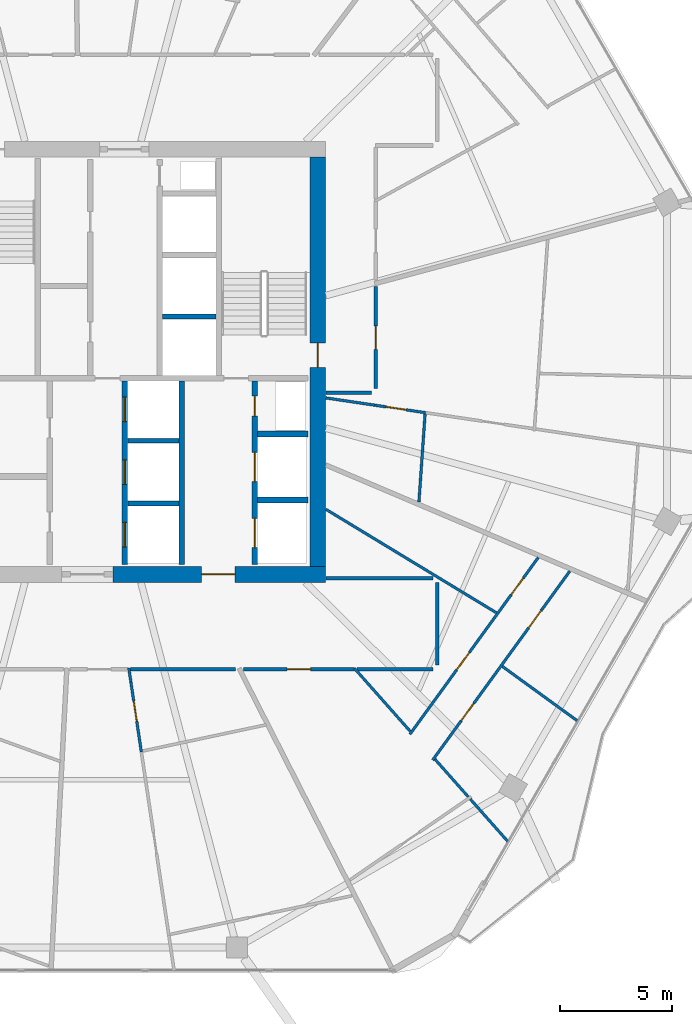
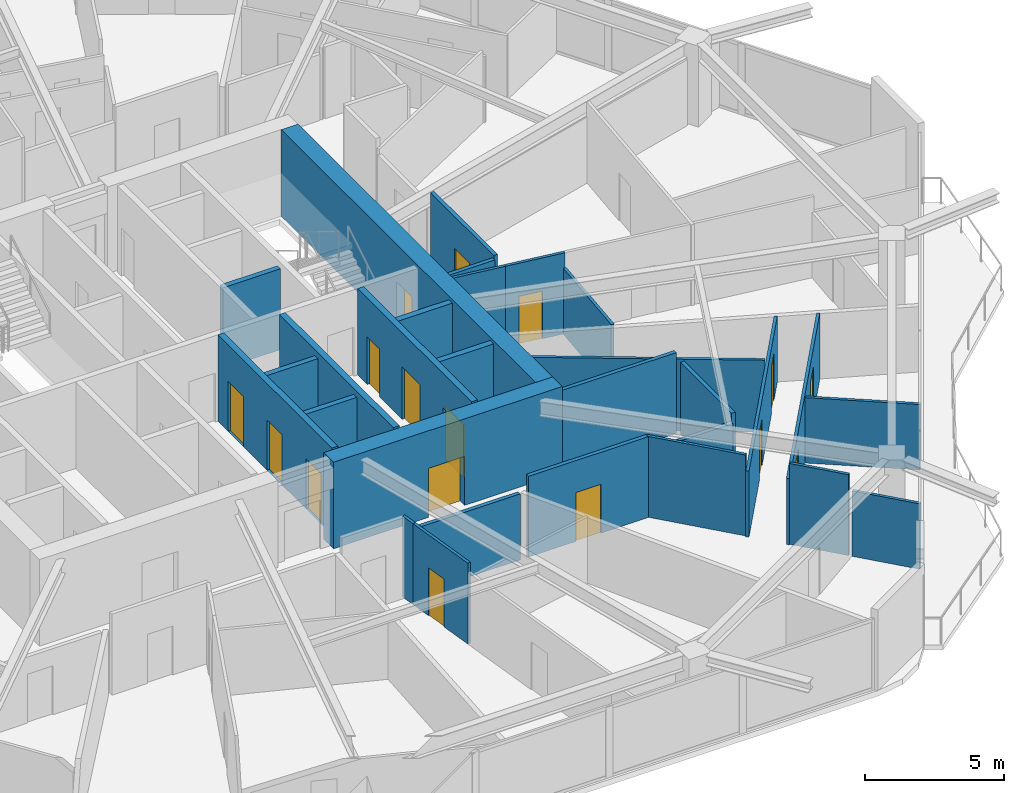
# One storey, part 20 of 27: 29 walls, 16 doors, 16 openings.
"""IFC4 building model written with IfcOpenShell, lengths in metres."""

from ifc_helpers import new_model, si_unit, direction, frame, frame_2d, origin, place, context, subcontext, project, spatial, rectangle, extrude, material, layer, layer_set, type_object, element, fill, save


model = new_model("IFC4")

# Units and contexts
model_context = context("Model", 3, precision=1e-05, world=origin(), true_north=direction((0.0, 1.0)))
body_context = subcontext(model_context, "Body", "Model", "MODEL_VIEW")
ifc_project = project(units=[si_unit("LENGTHUNIT", "METRE"), si_unit("AREAUNIT", "SQUARE_METRE"), si_unit("VOLUMEUNIT", "CUBIC_METRE"), si_unit("PLANEANGLEUNIT", "RADIAN"), si_unit("MASSUNIT", "GRAM", prefix="KILO")], contexts=[model_context])

# Site, building, storey
site_placement = place(None, origin())
site = spatial("IfcSite", under=ifc_project, at=site_placement, CompositionType="ELEMENT")
building_placement = place(site_placement, origin())
building = spatial("IfcBuilding", under=site, at=building_placement, Name="Zuhravey Tower", CompositionType="ELEMENT")
storey_placement = place(building_placement, frame((0.0, 0.0, 188.39990234375)))
storey = spatial("IfcBuildingStorey", under=building, at=storey_placement, Name="L47", CompositionType="ELEMENT", Elevation=188.39990234375)

# Wall, opening, door
ifc_material_1 = material(Name="Concrete C60/75", Category="concrete")
ifc_layer_1 = layer(ifc_material_1, 0.699951171875)
ifc_layer_set_1 = layer_set([ifc_layer_1], Name="Concrete C60/75")
wall_type_1 = type_object("IfcWallType", Name="Core Shear Wall 700", PredefinedType="SHEAR", material=ifc_layer_set_1)
wall_1_placement = place(storey_placement, frame((37.35009765625, 22.5, 0.0), z_axis=(0.0, 0.0, 1.0), x_axis=(1.0, 0.0, 0.0)))
wall_1 = element("IfcWall", 1, at=wall_1_placement, inside=storey, type_object=wall_type_1, Name="L47 South-East Core Shear Wall CW70", PredefinedType="SHEAR", context=body_context, shape_type="SweptSolid", body=[
    extrude(rectangle(XDim=9.5, YDim=0.699951171875, at=frame_2d((4.75, 0.0))), origin(), (0.0, 0.0, 1.0), 3.800048828125),
])
opening_1_placement = place(wall_1_placement, frame((3.949951171875, 0.0, 0.0)))
opening_1 = element("IfcOpeningElement", 2, at=opening_1_placement, cuts=wall_1, Name="Opening FFD1", PredefinedType="OPENING", context=body_context, shape_type="SweptSolid", body=[
    extrude(rectangle(XDim=1.5, YDim=2.14990234375, at=frame_2d((0.75, 1.074951171875))), frame((0.0, 0.362060546875, 0.0), z_axis=(0.0, -1.0, 0.0), x_axis=(1.0, 0.0, 0.0)), (0.0, 0.0, 1.0), 0.723876953125),
])
ifc_material_2 = material(Name="Galvanised fire-rated steel leaf", Category="steel")
door_type_1 = type_object("IfcDoorType", Name="Firefighting Lobby Double Door 1500x2150", OperationType="DOUBLE_DOOR_SINGLE_SWING", PredefinedType="DOOR", material=ifc_material_2)
door_1_placement = place(opening_1_placement, origin())
door_1 = element("IfcDoor", 3, at=door_1_placement, inside=storey, type_object=door_type_1, Name="L47 Firefighting Lobby East Door", OperationType="DOUBLE_DOOR_SINGLE_SWING", OverallHeight=2.14990234375, OverallWidth=1.5, PredefinedType="DOOR", context=body_context, shape_type="SweptSolid", body=[
    extrude(rectangle(XDim=1.5, YDim=2.14990234375, at=frame_2d((0.75, 1.074951171875))), frame((0.0, 0.02490234375, 0.0), z_axis=(0.0, -1.0, 0.0), x_axis=(1.0, 0.0, 0.0)), (0.0, 0.0, 1.0), 0.050048828125),
])
fill(opening_1, door_1)

wall_2_placement = place(storey_placement, frame((46.5, 22.85009765625, 0.0), z_axis=(0.0, 0.0, 1.0), x_axis=(0.0, 1.0, 0.0)))
wall_2 = element("IfcWall", 4, at=wall_2_placement, inside=storey, type_object=wall_type_1, Name="L47 East Core Shear Wall CW70", PredefinedType="SHEAR", context=body_context, shape_type="SweptSolid", body=[
    extrude(rectangle(XDim=18.2998046875, YDim=0.699951171875, at=frame_2d((9.14990234375, 0.0))), origin(), (0.0, 0.0, 1.0), 3.800048828125),
])
opening_2_placement = place(wall_2_placement, frame((8.89990234375, 0.0, 0.0)))
opening_2 = element("IfcOpeningElement", 5, at=opening_2_placement, cuts=wall_2, Name="Opening STD1", PredefinedType="OPENING", context=body_context, shape_type="SweptSolid", body=[
    extrude(rectangle(XDim=1.10009765625, YDim=2.14990234375, at=frame_2d((0.550048828125, 1.074951171875))), frame((0.0, 0.362060546875, 0.0), z_axis=(0.0, -1.0, 0.0), x_axis=(1.0, 0.0, 0.0)), (0.0, 0.0, 1.0), 0.723876953125),
])
door_type_2 = type_object("IfcDoorType", Name="Protected Stair Fire Door 1100x2150", OperationType="NOTDEFINED", PredefinedType="USERDEFINED", material=ifc_material_2)
door_2_placement = place(opening_2_placement, origin())
door_2 = element("IfcDoor", 6, at=door_2_placement, inside=storey, type_object=door_type_2, Name="L47 Stair ST2 Door", ObjectType="EXITDOOR", OperationType="SINGLE_SWING_LEFT", OverallHeight=2.14990234375, OverallWidth=1.10009765625, PredefinedType="USERDEFINED", context=body_context, shape_type="SweptSolid", body=[
    extrude(rectangle(XDim=1.10009765625, YDim=2.14990234375, at=frame_2d((0.550048828125, 1.074951171875))), frame((0.0, 0.02490234375, 0.0), z_axis=(0.0, -1.0, 0.0), x_axis=(1.0, 0.0, 0.0)), (0.0, 0.0, 1.0), 0.050048828125),
])
fill(opening_2, door_2)

ifc_material_3 = material(Name="Gypsum fire-rated stud partition")
ifc_layer_2 = layer(ifc_material_3, 0.159912109375)
ifc_layer_set_2 = layer_set([ifc_layer_2], Name="Gypsum fire-rated stud partition")
wall_type_2 = type_object("IfcWallType", Name="Corridor Fire Partition 160", PredefinedType="PARTITIONING", material=ifc_layer_set_2)
wall_3_placement = place(storey_placement, frame((43.169921875, 18.27001953125, 0.0), z_axis=(0.0, 0.0, 1.0), x_axis=(1.0, 0.0, 0.0)))
wall_3 = element("IfcWall", 7, at=wall_3_placement, inside=storey, type_object=wall_type_2, Name="L47 IW16 Partition 054", PredefinedType="PARTITIONING", context=body_context, shape_type="SweptSolid", body=[
    extrude(rectangle(XDim=4.9677734375, YDim=0.159912109375, at=frame_2d((2.48388671875, 0.0))), origin(), (0.0, 0.0, 1.0), 3.550048828125),
])
opening_3_placement = place(wall_3_placement, frame((1.958984375, 0.0, 0.0)))
opening_3 = element("IfcOpeningElement", 8, at=opening_3_placement, cuts=wall_3, Name="Opening APD1", PredefinedType="OPENING", context=body_context, shape_type="SweptSolid", body=[
    extrude(rectangle(XDim=1.050048828125, YDim=2.14990234375, at=frame_2d((0.52490234375, 1.074951171875))), frame((0.0, 0.092041015625, 0.0), z_axis=(0.0, -1.0, 0.0), x_axis=(1.0, 0.0, 0.0)), (0.0, 0.0, 1.0), 0.183837890625),
])
ifc_material_4 = material(Name="Solid-core oak fire-rated leaf")
door_type_3 = type_object("IfcDoorType", Name="Apartment Entrance Fire Door 1050x2150", OperationType="NOTDEFINED", PredefinedType="DOOR", material=ifc_material_4)
door_3_placement = place(opening_3_placement, frame((1.050048828125, 0.0, 0.0), z_axis=(0.0, 0.0, 1.0), x_axis=(-1.0, 0.0, 0.0)))
door_3 = element("IfcDoor", 9, at=door_3_placement, inside=storey, type_object=door_type_3, Name="L47 Door 054.1", OperationType="SINGLE_SWING_RIGHT", OverallHeight=2.14990234375, OverallWidth=1.050048828125, PredefinedType="DOOR", context=body_context, shape_type="SweptSolid", body=[
    extrude(rectangle(XDim=1.050048828125, YDim=2.14990234375, at=frame_2d((0.52490234375, 1.074951171875))), frame((0.0, 0.02490234375, 0.0), z_axis=(0.0, -1.0, 0.0), x_axis=(1.0, 0.0, 0.0)), (0.0, 0.0, 1.0), 0.050048828125),
])
fill(opening_3, door_3)

wall_4_placement = place(storey_placement, frame((49.080078125, 30.800048828125, 0.0), z_axis=(0.0, 0.0, 1.0), x_axis=(0.0, 1.0, 0.0)))
wall_4 = element("IfcWall", 10, at=wall_4_placement, inside=storey, type_object=wall_type_2, Name="L47 IW16 Partition 060", PredefinedType="PARTITIONING", context=body_context, shape_type="SweptSolid", body=[
    extrude(rectangle(XDim=4.56201171875, YDim=0.159912109375, at=frame_2d((2.281005859375, 0.0))), origin(), (0.0, 0.0, 1.0), 3.550048828125),
])
opening_4_placement = place(wall_4_placement, frame((1.756103515625, 0.0, 0.0)))
opening_4 = element("IfcOpeningElement", 11, at=opening_4_placement, cuts=wall_4, Name="Opening APD1", PredefinedType="OPENING", context=body_context, shape_type="SweptSolid", body=[
    extrude(rectangle(XDim=1.050048828125, YDim=2.14990234375, at=frame_2d((0.52490234375, 1.074951171875))), frame((0.0, 0.092041015625, 0.0), z_axis=(0.0, -1.0, 0.0), x_axis=(1.0, 0.0, 0.0)), (0.0, 0.0, 1.0), 0.183837890625),
])
door_4_placement = place(opening_4_placement, frame((1.050048828125, 0.0, 0.0), z_axis=(0.0, 0.0, 1.0), x_axis=(-1.0, 0.0, 0.0)))
door_4 = element("IfcDoor", 12, at=door_4_placement, inside=storey, type_object=door_type_3, Name="L47 Door 060.1", OperationType="SINGLE_SWING_RIGHT", OverallHeight=2.14990234375, OverallWidth=1.050048828125, PredefinedType="DOOR", context=body_context, shape_type="SweptSolid", body=[
    extrude(rectangle(XDim=1.050048828125, YDim=2.14990234375, at=frame_2d((0.52490234375, 1.074951171875))), frame((0.0, 0.02490234375, 0.0), z_axis=(0.0, -1.0, 0.0), x_axis=(1.0, 0.0, 0.0)), (0.0, 0.0, 1.0), 0.050048828125),
])
fill(opening_4, door_4)

# Walls
wall_5_placement = place(storey_placement, frame((38.125732421875, 18.27001953125, 0.0), z_axis=(0.0, 0.0, 1.0), x_axis=(1.0, 0.0, 0.0)))
element("IfcWall", 13, at=wall_5_placement, inside=storey, type_object=wall_type_2, Name="L47 IW16 Partition 143", PredefinedType="PARTITIONING", context=body_context, shape_type="SweptSolid", body=[
    extrude(rectangle(XDim=4.697509765625, YDim=0.159912109375, at=frame_2d((2.3486328125, 0.0))), origin(), (0.0, 0.0, 1.0), 2.900146484375),
])
wall_6_placement = place(storey_placement, frame((51.64990234375, 22.330078125, 0.0), z_axis=(0.0, 0.0, 1.0), x_axis=(-1.0, 0.0, 0.0)))
element("IfcWall", 14, at=wall_6_placement, inside=storey, type_object=wall_type_2, Name="L47 IW16 Partition 144", PredefinedType="PARTITIONING", context=body_context, shape_type="SweptSolid", body=[
    extrude(rectangle(XDim=4.77978515625, YDim=0.159912109375, at=frame_2d((2.389892578125, 0.0))), origin(), (0.0, 0.0, 1.0), 3.550048828125),
])
wall_7_placement = place(storey_placement, frame((51.830078125, 18.449951171875, 0.0), z_axis=(0.0, 0.0, 1.0), x_axis=(0.0, 1.0, 0.0)))
element("IfcWall", 15, at=wall_7_placement, inside=storey, type_object=wall_type_2, Name="L47 IW16 Partition 145", PredefinedType="PARTITIONING", context=body_context, shape_type="SweptSolid", body=[
    extrude(rectangle(XDim=3.699951171875, YDim=0.159912109375, at=frame_2d((1.85009765625, 0.0))), origin(), (0.0, 0.0, 1.0), 3.150146484375),
])
wall_8_placement = place(storey_placement, frame((48.255126953125, 18.27001953125, 0.0), z_axis=(0.0, 0.0, 1.0), x_axis=(1.0, 0.0, 0.0)))
element("IfcWall", 16, at=wall_8_placement, inside=storey, type_object=wall_type_2, Name="L47 IW16 Partition 146", PredefinedType="PARTITIONING", context=body_context, shape_type="SweptSolid", body=[
    extrude(rectangle(XDim=3.394775390625, YDim=0.159912109375, at=frame_2d((1.697265625, 0.0))), origin(), (0.0, 0.0, 1.0), 2.900146484375),
])
wall_9_placement = place(storey_placement, frame((46.8701171875, 30.6201171875, 0.0), z_axis=(0.0, 0.0, 1.0), x_axis=(1.0, 0.0, 0.0)))
element("IfcWall", 17, at=wall_9_placement, inside=storey, type_object=wall_type_2, Name="L47 IW16 Partition 147", PredefinedType="PARTITIONING", context=body_context, shape_type="SweptSolid", body=[
    extrude(rectangle(XDim=2.02978515625, YDim=0.159912109375, at=frame_2d((1.014892578125, 0.0))), origin(), (0.0, 0.0, 1.0), 3.550048828125),
])

# Wall, openings, doors
ifc_material_5 = material(Name="Concrete C50/60", Category="concrete")
ifc_layer_3 = layer(ifc_material_5, 0.25)
ifc_layer_set_3 = layer_set([ifc_layer_3], Name="Concrete C50/60")
wall_type_3 = type_object("IfcWallType", Name="Firefighting Shaft & Stair Wall 250", PredefinedType="SOLIDWALL", material=ifc_layer_set_3)
wall_10_placement = place(storey_placement, frame((37.875, 22.949951171875, 0.0), z_axis=(0.0, 0.0, 1.0), x_axis=(0.0, 1.0, 0.0)))
wall_10 = element("IfcWall", 18, at=wall_10_placement, inside=storey, type_object=wall_type_3, Name="L47 FW25 Shaft Wall 015", PredefinedType="SOLIDWALL", context=body_context, shape_type="SweptSolid", body=[
    extrude(rectangle(XDim=8.199951171875, YDim=0.25, at=frame_2d((4.10009765625, 0.0))), origin(), (0.0, 0.0, 1.0), 3.800048828125),
])
opening_5_placement = place(wall_10_placement, frame((0.77490234375, 0.0, 0.0)))
opening_5 = element("IfcOpeningElement", 19, at=opening_5_placement, cuts=wall_10, Name="Opening LD1", PredefinedType="OPENING", context=body_context, shape_type="SweptSolid", body=[
    extrude(rectangle(XDim=1.10009765625, YDim=2.199951171875, at=frame_2d((0.550048828125, 1.10009765625))), frame((0.0, 0.136962890625, 0.0), z_axis=(0.0, -1.0, 0.0), x_axis=(1.0, 0.0, 0.0)), (0.0, 0.0, 1.0), 0.27392578125),
])
opening_6_placement = place(wall_10_placement, frame((3.574951171875, 0.0, 0.0)))
opening_6 = element("IfcOpeningElement", 20, at=opening_6_placement, cuts=wall_10, Name="Opening LD1", PredefinedType="OPENING", context=body_context, shape_type="SweptSolid", body=[
    extrude(rectangle(XDim=1.10009765625, YDim=2.199951171875, at=frame_2d((0.550048828125, 1.10009765625))), frame((0.0, 0.136962890625, 0.0), z_axis=(0.0, -1.0, 0.0), x_axis=(1.0, 0.0, 0.0)), (0.0, 0.0, 1.0), 0.27392578125),
])
opening_7_placement = place(wall_10_placement, frame((6.375, 0.0, 0.0)))
opening_7 = element("IfcOpeningElement", 21, at=opening_7_placement, cuts=wall_10, Name="Opening LD1", PredefinedType="OPENING", context=body_context, shape_type="SweptSolid", body=[
    extrude(rectangle(XDim=1.10009765625, YDim=2.199951171875, at=frame_2d((0.550048828125, 1.10009765625))), frame((0.0, 0.136962890625, 0.0), z_axis=(0.0, -1.0, 0.0), x_axis=(1.0, 0.0, 0.0)), (0.0, 0.0, 1.0), 0.27392578125),
])
ifc_material_6 = material(Name="Brushed stainless steel", Category="steel")
door_type_4 = type_object("IfcDoorType", Name="Lift Landing Sliding Door 1100x2200", OperationType="DOUBLE_DOOR_SLIDING", PredefinedType="DOOR", material=ifc_material_6)
door_5_placement = place(opening_5_placement, origin())
door_5 = element("IfcDoor", 22, at=door_5_placement, inside=storey, type_object=door_type_4, Name="L47 Lift PL4 Landing Door", OperationType="DOUBLE_DOOR_SLIDING", OverallHeight=2.199951171875, OverallWidth=1.10009765625, PredefinedType="DOOR", context=body_context, shape_type="SweptSolid", body=[
    extrude(rectangle(XDim=1.10009765625, YDim=2.199951171875, at=frame_2d((0.550048828125, 1.10009765625))), frame((0.0, 0.02490234375, 0.0), z_axis=(0.0, -1.0, 0.0), x_axis=(1.0, 0.0, 0.0)), (0.0, 0.0, 1.0), 0.050048828125),
])
fill(opening_5, door_5)
door_6_placement = place(opening_6_placement, origin())
door_6 = element("IfcDoor", 23, at=door_6_placement, inside=storey, type_object=door_type_4, Name="L47 Lift PL5 Landing Door", OperationType="DOUBLE_DOOR_SLIDING", OverallHeight=2.199951171875, OverallWidth=1.10009765625, PredefinedType="DOOR", context=body_context, shape_type="SweptSolid", body=[
    extrude(rectangle(XDim=1.10009765625, YDim=2.199951171875, at=frame_2d((0.550048828125, 1.10009765625))), frame((0.0, 0.02490234375, 0.0), z_axis=(0.0, -1.0, 0.0), x_axis=(1.0, 0.0, 0.0)), (0.0, 0.0, 1.0), 0.050048828125),
])
fill(opening_6, door_6)
door_7_placement = place(opening_7_placement, origin())
door_7 = element("IfcDoor", 24, at=door_7_placement, inside=storey, type_object=door_type_4, Name="L47 Lift PL6 Landing Door", OperationType="DOUBLE_DOOR_SLIDING", OverallHeight=2.199951171875, OverallWidth=1.10009765625, PredefinedType="DOOR", context=body_context, shape_type="SweptSolid", body=[
    extrude(rectangle(XDim=1.10009765625, YDim=2.199951171875, at=frame_2d((0.550048828125, 1.10009765625))), frame((0.0, 0.02490234375, 0.0), z_axis=(0.0, -1.0, 0.0), x_axis=(1.0, 0.0, 0.0)), (0.0, 0.0, 1.0), 0.050048828125),
])
fill(opening_7, door_7)

# Walls
wall_11_placement = place(storey_placement, frame((40.425048828125, 22.949951171875, 0.0), z_axis=(0.0, 0.0, 1.0), x_axis=(0.0, 1.0, 0.0)))
element("IfcWall", 25, at=wall_11_placement, inside=storey, type_object=wall_type_3, Name="L47 FW25 Shaft Wall 016", PredefinedType="SOLIDWALL", context=body_context, shape_type="SweptSolid", body=[
    extrude(rectangle(XDim=8.199951171875, YDim=0.25, at=frame_2d((4.10009765625, 0.0))), origin(), (0.0, 0.0, 1.0), 3.800048828125),
])
for number, where, z_axis, x_axis, name in (
    (26, (43.800048828125, 25.824951171875, 0.0), (0.0, 0.0, 1.0), (1.0, 0.0, 0.0), "L47 FW25 Shaft Wall 017"),
    (27, (43.800048828125, 28.77490234375, 0.0), (0.0, 0.0, 1.0), (1.0, 0.0, 0.0), "L47 FW25 Shaft Wall 018"),
):
    element("IfcWall", number, at=place(storey_placement, frame(where, z_axis=z_axis, x_axis=x_axis)), inside=storey, type_object=wall_type_3, Name=name, PredefinedType="SOLIDWALL", context=body_context, shape_type="SweptSolid", body=[
        extrude(rectangle(XDim=2.25, YDim=0.25, at=frame_2d((1.125, 0.0))), origin(), (0.0, 0.0, 1.0), 3.800048828125),
    ])

# Wall, openings, doors
wall_12_placement = place(storey_placement, frame((43.675048828125, 22.949951171875, 0.0), z_axis=(0.0, 0.0, 1.0), x_axis=(0.0, 1.0, 0.0)))
wall_12 = element("IfcWall", 28, at=wall_12_placement, inside=storey, type_object=wall_type_3, Name="L47 FW25 Shaft Wall 019", PredefinedType="SOLIDWALL", context=body_context, shape_type="SweptSolid", body=[
    extrude(rectangle(XDim=8.199951171875, YDim=0.25, at=frame_2d((4.10009765625, 0.0))), origin(), (0.0, 0.0, 1.0), 3.800048828125),
])
opening_8_placement = place(wall_12_placement, frame((0.75, 0.0, 0.0)))
opening_8 = element("IfcOpeningElement", 29, at=opening_8_placement, cuts=wall_12, Name="Opening LD2", PredefinedType="OPENING", context=body_context, shape_type="SweptSolid", body=[
    extrude(rectangle(XDim=1.300048828125, YDim=2.300048828125, at=frame_2d((0.64990234375, 1.14990234375))), frame((0.0, 0.136962890625, 0.0), z_axis=(0.0, -1.0, 0.0), x_axis=(1.0, 0.0, 0.0)), (0.0, 0.0, 1.0), 0.27392578125),
])
opening_9_placement = place(wall_12_placement, frame((3.699951171875, 0.0, 0.0)))
opening_9 = element("IfcOpeningElement", 30, at=opening_9_placement, cuts=wall_12, Name="Opening LD2", PredefinedType="OPENING", context=body_context, shape_type="SweptSolid", body=[
    extrude(rectangle(XDim=1.300048828125, YDim=2.300048828125, at=frame_2d((0.64990234375, 1.14990234375))), frame((0.0, 0.136962890625, 0.0), z_axis=(0.0, -1.0, 0.0), x_axis=(1.0, 0.0, 0.0)), (0.0, 0.0, 1.0), 0.27392578125),
])
opening_10_placement = place(wall_12_placement, frame((6.6201171875, 0.0, 0.0)))
opening_10 = element("IfcOpeningElement", 31, at=opening_10_placement, cuts=wall_12, Name="Opening RSD1", PredefinedType="OPENING", context=body_context, shape_type="SweptSolid", body=[
    extrude(rectangle(XDim=0.89990234375, YDim=2.10009765625, at=frame_2d((0.449951171875, 1.050048828125))), frame((0.0, 0.136962890625, 0.0), z_axis=(0.0, -1.0, 0.0), x_axis=(1.0, 0.0, 0.0)), (0.0, 0.0, 1.0), 0.27392578125),
])
door_type_5 = type_object("IfcDoorType", Name="Freight & Stretcher Lift Sliding Door 1300x2300", OperationType="DOUBLE_DOOR_SLIDING", PredefinedType="DOOR", material=ifc_material_6)
door_8_placement = place(opening_8_placement, origin())
door_8 = element("IfcDoor", 32, at=door_8_placement, inside=storey, type_object=door_type_5, Name="L47 Lift FF2 Landing Door", OperationType="DOUBLE_DOOR_SLIDING", OverallHeight=2.300048828125, OverallWidth=1.300048828125, PredefinedType="DOOR", context=body_context, shape_type="SweptSolid", body=[
    extrude(rectangle(XDim=1.300048828125, YDim=2.300048828125, at=frame_2d((0.64990234375, 1.14990234375))), frame((0.0, 0.02490234375, 0.0), z_axis=(0.0, -1.0, 0.0), x_axis=(1.0, 0.0, 0.0)), (0.0, 0.0, 1.0), 0.050048828125),
])
fill(opening_8, door_8)
door_9_placement = place(opening_9_placement, origin())
door_9 = element("IfcDoor", 33, at=door_9_placement, inside=storey, type_object=door_type_5, Name="L47 Lift SV1 Landing Door", OperationType="DOUBLE_DOOR_SLIDING", OverallHeight=2.300048828125, OverallWidth=1.300048828125, PredefinedType="DOOR", context=body_context, shape_type="SweptSolid", body=[
    extrude(rectangle(XDim=1.300048828125, YDim=2.300048828125, at=frame_2d((0.64990234375, 1.14990234375))), frame((0.0, 0.02490234375, 0.0), z_axis=(0.0, -1.0, 0.0), x_axis=(1.0, 0.0, 0.0)), (0.0, 0.0, 1.0), 0.050048828125),
])
fill(opening_9, door_9)
ifc_material_7 = material(Name="Galvanised fire-rated steel access leaf", Category="steel")
door_type_6 = type_object("IfcDoorType", Name="Riser & Shaft Access Fire Door 900x2100", OperationType="NOTDEFINED", PredefinedType="DOOR", material=ifc_material_7)
door_10_placement = place(opening_10_placement, origin())
door_10 = element("IfcDoor", 34, at=door_10_placement, inside=storey, type_object=door_type_6, Name="L47 Plumbing Riser Door", OperationType="SINGLE_SWING_LEFT", OverallHeight=2.10009765625, OverallWidth=0.89990234375, PredefinedType="DOOR", context=body_context, shape_type="SweptSolid", body=[
    extrude(rectangle(XDim=0.89990234375, YDim=2.10009765625, at=frame_2d((0.449951171875, 1.050048828125))), frame((0.0, 0.02490234375, 0.0), z_axis=(0.0, -1.0, 0.0), x_axis=(1.0, 0.0, 0.0)), (0.0, 0.0, 1.0), 0.050048828125),
])
fill(opening_10, door_10)

# Walls
ifc_material_8 = material(Name="Gypsum acoustic stud assembly")
ifc_layer_4 = layer(ifc_material_8, 0.219970703125)
ifc_layer_set_4 = layer_set([ifc_layer_4], Name="Gypsum acoustic stud assembly")
wall_type_4 = type_object("IfcWallType", Name="School Acoustic Compartment Wall 220", PredefinedType="PARTITIONING", material=ifc_layer_set_4)
wall_13_placement = place(storey_placement, frame((39.55810546875, 34.02490234375, 0.0), z_axis=(0.0, 0.0, 1.0), x_axis=(1.0, 0.0, 0.0)))
element("IfcWall", 35, at=wall_13_placement, inside=storey, type_object=wall_type_4, Name="L47 IW22 Partition 062", PredefinedType="PARTITIONING", context=body_context, shape_type="SweptSolid", body=[
    extrude(rectangle(XDim=2.3837890625, YDim=0.219970703125, at=frame_2d((1.19189453125, 0.0))), origin(), (0.0, 0.0, 1.0), 3.550048828125),
])
for number, where, z_axis, x_axis, name in (
    (36, (38.008056640625, 25.675048828125, 0.0), (0.0, 0.0, 1.0), (1.0, 0.0, 0.0), "L47 IW22 Partition 065"),
    (37, (38.008056640625, 28.47509765625, 0.0), (0.0, 0.0, 1.0), (1.0, 0.0, 0.0), "L47 IW22 Partition 066"),
):
    element("IfcWall", number, at=place(storey_placement, frame(where, z_axis=z_axis, x_axis=x_axis)), inside=storey, type_object=wall_type_4, Name=name, PredefinedType="PARTITIONING", context=body_context, shape_type="SweptSolid", body=[
        extrude(rectangle(XDim=2.283935546875, YDim=0.219970703125, at=frame_2d((1.14208984375, 0.0))), origin(), (0.0, 0.0, 1.0), 3.550048828125),
    ])

# Wall, opening, door
ifc_material_9 = material(Name="Gypsum metal-stud partition")
ifc_layer_5 = layer(ifc_material_9, 0.1201171875)
ifc_layer_set_5 = layer_set([ifc_layer_5], Name="Gypsum metal-stud partition")
wall_type_5 = type_object("IfcWallType", Name="Unit Internal Partition 120", PredefinedType="PARTITIONING", material=ifc_layer_set_5)
wall_14_placement = place(storey_placement, frame((38.142333984375, 17.699951171875, 0.0), z_axis=(0.0, 0.0, 1.0), x_axis=(0.148099173733, -0.988972514653, 0.0)))
wall_14 = element("IfcWall", 38, at=wall_14_placement, inside=storey, type_object=wall_type_5, Name="L47 IW12 Partition 047", PredefinedType="PARTITIONING", context=body_context, shape_type="SweptSolid", body=[
    extrude(rectangle(XDim=3.166748046875, YDim=0.1201171875, at=frame_2d((1.58349609375, 0.0))), origin(), (0.0, 0.0, 1.0), 3.550048828125),
])
opening_11_placement = place(wall_14_placement, frame((0.8798828125, 0.0, 0.0)))
opening_11 = element("IfcOpeningElement", 39, at=opening_11_placement, cuts=wall_14, Name="Opening WCD1", PredefinedType="OPENING", context=body_context, shape_type="SweptSolid", body=[
    extrude(rectangle(XDim=0.89990234375, YDim=2.10009765625, at=frame_2d((0.449951171875, 1.050048828125))), frame((0.0, 0.072021484375, 0.0), z_axis=(0.0, -1.0, 0.0), x_axis=(1.0, 0.0, 0.0)), (0.0, 0.0, 1.0), 0.14404296875),
])
ifc_material_10 = material(Name="Moisture-resistant timber leaf", Category="wood")
door_type_7 = type_object("IfcDoorType", Name="Bathroom & WC Internal Door 900x2100", OperationType="NOTDEFINED", PredefinedType="DOOR", material=ifc_material_10)
door_11_placement = place(opening_11_placement, origin())
door_11 = element("IfcDoor", 40, at=door_11_placement, inside=storey, type_object=door_type_7, Name="Apartment L47-08 Bathroom Door", OperationType="SINGLE_SWING_LEFT", OverallHeight=2.10009765625, OverallWidth=0.89990234375, PredefinedType="DOOR", context=body_context, shape_type="SweptSolid", body=[
    extrude(rectangle(XDim=0.89990234375, YDim=2.10009765625, at=frame_2d((0.449951171875, 1.050048828125))), frame((0.0, 0.02490234375, 0.0), z_axis=(0.0, -1.0, 0.0), x_axis=(1.0, 0.0, 0.0)), (0.0, 0.0, 1.0), 0.050048828125),
])
fill(opening_11, door_11)

# Wall, openings, doors
wall_15_placement = place(storey_placement, frame((50.61328125, 15.35498046875, 0.0), z_axis=(0.0, 0.0, 1.0), x_axis=(0.587519111836, 0.809210289867, 0.0)))
wall_15 = element("IfcWall", 41, at=wall_15_placement, inside=storey, type_object=wall_type_5, Name="L47 IW12 Partition 052", PredefinedType="PARTITIONING", context=body_context, shape_type="SweptSolid", body=[
    extrude(rectangle(XDim=9.768310546875, YDim=0.1201171875, at=frame_2d((4.88427734375, 0.0))), origin(), (0.0, 0.0, 1.0), 2.900146484375),
])
opening_12_placement = place(wall_15_placement, frame((3.572021484375, 0.0, 0.0)))
opening_12 = element("IfcOpeningElement", 42, at=opening_12_placement, cuts=wall_15, Name="Opening IND1", PredefinedType="OPENING", context=body_context, shape_type="SweptSolid", body=[
    extrude(rectangle(XDim=0.949951171875, YDim=2.10009765625, at=frame_2d((0.47509765625, 1.050048828125))), frame((0.0, 0.072021484375, 0.0), z_axis=(0.0, -1.0, 0.0), x_axis=(1.0, 0.0, 0.0)), (0.0, 0.0, 1.0), 0.14404296875),
])
opening_13_placement = place(wall_15_placement, frame((7.718505859375, 0.0, 0.0)))
opening_13 = element("IfcOpeningElement", 43, at=opening_13_placement, cuts=wall_15, Name="Opening WCD1", PredefinedType="OPENING", context=body_context, shape_type="SweptSolid", body=[
    extrude(rectangle(XDim=0.89990234375, YDim=2.10009765625, at=frame_2d((0.449951171875, 1.050048828125))), frame((0.0, 0.072021484375, 0.0), z_axis=(0.0, -1.0, 0.0), x_axis=(1.0, 0.0, 0.0)), (0.0, 0.0, 1.0), 0.14404296875),
])
door_12_placement = place(opening_13_placement, origin())
door_12 = element("IfcDoor", 44, at=door_12_placement, inside=storey, type_object=door_type_7, Name="Apartment L47-09 Bathroom Door", OperationType="SINGLE_SWING_LEFT", OverallHeight=2.10009765625, OverallWidth=0.89990234375, PredefinedType="DOOR", context=body_context, shape_type="SweptSolid", body=[
    extrude(rectangle(XDim=0.89990234375, YDim=2.10009765625, at=frame_2d((0.449951171875, 1.050048828125))), frame((0.0, 0.02490234375, 0.0), z_axis=(0.0, -1.0, 0.0), x_axis=(1.0, 0.0, 0.0)), (0.0, 0.0, 1.0), 0.050048828125),
])
fill(opening_13, door_12)
ifc_material_11 = material(Name="Painted engineered timber leaf", Category="wood")
door_type_8 = type_object("IfcDoorType", Name="Internal Room & Bedroom Door 950x2100", OperationType="NOTDEFINED", PredefinedType="DOOR", material=ifc_material_11)
door_13_placement = place(opening_12_placement, origin())
door_13 = element("IfcDoor", 45, at=door_13_placement, inside=storey, type_object=door_type_8, Name="Apartment L47-09 Kitchen Door", OperationType="SINGLE_SWING_RIGHT", OverallHeight=2.10009765625, OverallWidth=0.949951171875, PredefinedType="DOOR", context=body_context, shape_type="SweptSolid", body=[
    extrude(rectangle(XDim=0.949951171875, YDim=2.10009765625, at=frame_2d((0.47509765625, 1.050048828125))), frame((0.0, 0.02490234375, 0.0), z_axis=(0.0, -1.0, 0.0), x_axis=(1.0, 0.0, 0.0)), (0.0, 0.0, 1.0), 0.050048828125),
])
fill(opening_12, door_13)

wall_16_placement = place(storey_placement, frame((51.632080078125, 14.205078125, 0.0), z_axis=(0.0, 0.0, 1.0), x_axis=(0.587503568884, 0.809221574446, 0.0)))
wall_16 = element("IfcWall", 46, at=wall_16_placement, inside=storey, type_object=wall_type_5, Name="L47 IW12 Partition 053", PredefinedType="PARTITIONING", context=body_context, shape_type="SweptSolid", body=[
    extrude(rectangle(XDim=10.43212890625, YDim=0.1201171875, at=frame_2d((5.216064453125, 0.0))), origin(), (0.0, 0.0, 1.0), 2.900146484375),
])
opening_14_placement = place(wall_16_placement, frame((2.18310546875, 0.0, 0.0)))
opening_14 = element("IfcOpeningElement", 47, at=opening_14_placement, cuts=wall_16, Name="Opening IND1", PredefinedType="OPENING", context=body_context, shape_type="SweptSolid", body=[
    extrude(rectangle(XDim=0.949951171875, YDim=2.10009765625, at=frame_2d((0.47509765625, 1.050048828125))), frame((0.0, 0.072021484375, 0.0), z_axis=(0.0, -1.0, 0.0), x_axis=(1.0, 0.0, 0.0)), (0.0, 0.0, 1.0), 0.14404296875),
])
opening_15_placement = place(wall_16_placement, frame((7.299072265625, 0.0, 0.0)))
opening_15 = element("IfcOpeningElement", 48, at=opening_15_placement, cuts=wall_16, Name="Opening IND1", PredefinedType="OPENING", context=body_context, shape_type="SweptSolid", body=[
    extrude(rectangle(XDim=0.949951171875, YDim=2.10009765625, at=frame_2d((0.47509765625, 1.050048828125))), frame((0.0, 0.072021484375, 0.0), z_axis=(0.0, -1.0, 0.0), x_axis=(1.0, 0.0, 0.0)), (0.0, 0.0, 1.0), 0.14404296875),
])
door_14_placement = place(opening_14_placement, frame((0.949951171875, 0.0, 0.0), z_axis=(0.0, 0.0, 1.0), x_axis=(-1.0, 0.0, 0.0)))
door_14 = element("IfcDoor", 49, at=door_14_placement, inside=storey, type_object=door_type_8, Name="Apartment L47-09 Bedroom 1 Door", OperationType="SINGLE_SWING_RIGHT", OverallHeight=2.10009765625, OverallWidth=0.949951171875, PredefinedType="DOOR", context=body_context, shape_type="SweptSolid", body=[
    extrude(rectangle(XDim=0.949951171875, YDim=2.10009765625, at=frame_2d((0.47509765625, 1.050048828125))), frame((0.0, 0.02490234375, 0.0), z_axis=(0.0, -1.0, 0.0), x_axis=(1.0, 0.0, 0.0)), (0.0, 0.0, 1.0), 0.050048828125),
])
fill(opening_14, door_14)
door_15_placement = place(opening_15_placement, frame((0.949951171875, 0.0, 0.0), z_axis=(0.0, 0.0, 1.0), x_axis=(-1.0, 0.0, 0.0)))
door_15 = element("IfcDoor", 50, at=door_15_placement, inside=storey, type_object=door_type_8, Name="Apartment L47-09 Bedroom 2 Door", OperationType="SINGLE_SWING_LEFT", OverallHeight=2.10009765625, OverallWidth=0.949951171875, PredefinedType="DOOR", context=body_context, shape_type="SweptSolid", body=[
    extrude(rectangle(XDim=0.949951171875, YDim=2.10009765625, at=frame_2d((0.47509765625, 1.050048828125))), frame((0.0, 0.02490234375, 0.0), z_axis=(0.0, -1.0, 0.0), x_axis=(1.0, 0.0, 0.0)), (0.0, 0.0, 1.0), 0.050048828125),
])
fill(opening_15, door_15)

# Wall, opening, door
wall_17_placement = place(storey_placement, frame((49.04541015625, 30.064208984375, 0.0), z_axis=(0.0, 0.0, 1.0), x_axis=(0.989173245812, -0.146752477897, 0.0)))
wall_17 = element("IfcWall", 51, at=wall_17_placement, inside=storey, type_object=wall_type_5, Name="L47 IW12 Partition 056", PredefinedType="PARTITIONING", context=body_context, shape_type="SweptSolid", body=[
    extrude(rectangle(XDim=2.30078125, YDim=0.1201171875, at=frame_2d((1.150390625, 0.0))), origin(), (0.0, 0.0, 1.0), 3.550048828125),
])
opening_16_placement = place(wall_17_placement, frame((0.516357421875, 0.0, 0.0)))
opening_16 = element("IfcOpeningElement", 52, at=opening_16_placement, cuts=wall_17, Name="Opening WCD1", PredefinedType="OPENING", context=body_context, shape_type="SweptSolid", body=[
    extrude(rectangle(XDim=0.89990234375, YDim=2.10009765625, at=frame_2d((0.449951171875, 1.050048828125))), frame((0.0, 0.072021484375, 0.0), z_axis=(0.0, -1.0, 0.0), x_axis=(1.0, 0.0, 0.0)), (0.0, 0.0, 1.0), 0.14404296875),
])
door_16_placement = place(opening_16_placement, frame((0.89990234375, 0.0, 0.0), z_axis=(0.0, 0.0, 1.0), x_axis=(-1.0, 0.0, 0.0)))
door_16 = element("IfcDoor", 53, at=door_16_placement, inside=storey, type_object=door_type_7, Name="Apartment L47-10 Bathroom Door", OperationType="SINGLE_SWING_LEFT", OverallHeight=2.10009765625, OverallWidth=0.89990234375, PredefinedType="DOOR", context=body_context, shape_type="SweptSolid", body=[
    extrude(rectangle(XDim=0.89990234375, YDim=2.10009765625, at=frame_2d((0.449951171875, 1.050048828125))), frame((0.0, 0.02490234375, 0.0), z_axis=(0.0, -1.0, 0.0), x_axis=(1.0, 0.0, 0.0)), (0.0, 0.0, 1.0), 0.050048828125),
])
fill(opening_16, door_16)

# Walls
wall_18_placement = place(storey_placement, frame((38.05029296875, 18.314697265625, 0.0), z_axis=(0.0, 0.0, 1.0), x_axis=(0.148071563401, -0.988976648922, 0.0)))
element("IfcWall", 54, at=wall_18_placement, inside=storey, type_object=wall_type_5, Name="L47 IW12 Partition 109", PredefinedType="PARTITIONING", context=body_context, shape_type="SweptSolid", body=[
    extrude(rectangle(XDim=0.62158203125, YDim=0.1201171875, at=frame_2d((0.310791015625, 0.0))), origin(), (0.0, 0.0, 1.0), 3.550048828125),
])
wall_19_placement = place(storey_placement, frame((46.85791015625, 25.4111328125, 0.0), z_axis=(0.0, 0.0, 1.0), x_axis=(0.854916867304, -0.518765023878, 0.0)))
element("IfcWall", 55, at=wall_19_placement, inside=storey, type_object=wall_type_5, Name="L47 IW12 Partition 113", PredefinedType="PARTITIONING", context=body_context, shape_type="SweptSolid", body=[
    extrude(rectangle(XDim=8.9091796875, YDim=0.1201171875, at=frame_2d((4.45458984375, 0.0))), origin(), (0.0, 0.0, 1.0), 3.150146484375),
])
wall_20_placement = place(storey_placement, frame((54.751708984375, 18.385986328125, 0.0), z_axis=(0.0, 0.0, 1.0), x_axis=(0.809234621537, -0.587485597531, 0.0)))
element("IfcWall", 56, at=wall_20_placement, inside=storey, type_object=wall_type_5, Name="L47 IW12 Partition 114", PredefinedType="PARTITIONING", context=body_context, shape_type="SweptSolid", body=[
    extrude(rectangle(XDim=4.16943359375, YDim=0.1201171875, at=frame_2d((2.084716796875, 0.0))), origin(), (0.0, 0.0, 1.0), 2.8701171875),
])
wall_21_placement = place(storey_placement, frame((48.1376953125, 18.300048828125, 0.0), z_axis=(0.0, 0.0, 1.0), x_axis=(0.663123743862, -0.748509786393, 0.0)))
element("IfcWall", 57, at=wall_21_placement, inside=storey, type_object=wall_type_5, Name="L47 IW12 Partition 115", PredefinedType="PARTITIONING", context=body_context, shape_type="SweptSolid", body=[
    extrude(rectangle(XDim=3.754150390625, YDim=0.1201171875, at=frame_2d((1.876953125, 0.0))), origin(), (0.0, 0.0, 1.0), 3.550048828125),
])
wall_22_placement = place(storey_placement, frame((51.738525390625, 14.23583984375, 0.0), z_axis=(0.0, 0.0, 1.0), x_axis=(0.663176854864, -0.74846273065, 0.0)))
element("IfcWall", 58, at=wall_22_placement, inside=storey, type_object=wall_type_5, Name="L47 IW12 Partition 116", PredefinedType="PARTITIONING", context=body_context, shape_type="SweptSolid", body=[
    extrude(rectangle(XDim=2.235595703125, YDim=0.1201171875, at=frame_2d((1.11767578125, 0.0))), origin(), (0.0, 0.0, 1.0), 3.550048828125),
])
wall_23_placement = place(storey_placement, frame((53.31201171875, 12.4599609375, 0.0), z_axis=(0.0, 0.0, 1.0), x_axis=(0.663102409331, -0.748528686651, 0.0)))
element("IfcWall", 59, at=wall_23_placement, inside=storey, type_object=wall_type_5, Name="L47 IW12 Partition 117", PredefinedType="PARTITIONING", context=body_context, shape_type="SweptSolid", body=[
    extrude(rectangle(XDim=2.560791015625, YDim=0.1201171875, at=frame_2d((1.2802734375, 0.0))), origin(), (0.0, 0.0, 1.0), 2.8701171875),
])
wall_24_placement = place(storey_placement, frame((46.85791015625, 30.388916015625, 0.0), z_axis=(0.0, 0.0, 1.0), x_axis=(0.989161931015, -0.146828724135, 0.0)))
element("IfcWall", 60, at=wall_24_placement, inside=storey, type_object=wall_type_5, Name="L47 IW12 Partition 120", PredefinedType="PARTITIONING", context=body_context, shape_type="SweptSolid", body=[
    extrude(rectangle(XDim=2.21142578125, YDim=0.1201171875, at=frame_2d((1.105712890625, 0.0))), origin(), (0.0, 0.0, 1.0), 3.550048828125),
])
wall_25_placement = place(storey_placement, frame((51.017578125, 25.74267578125, 0.0), z_axis=(0.0, 0.0, 1.0), x_axis=(0.069719060605, 0.997566665736, 0.0)))
element("IfcWall", 61, at=wall_25_placement, inside=storey, type_object=wall_type_5, Name="L47 IW12 Partition 122", PredefinedType="PARTITIONING", context=body_context, shape_type="SweptSolid", body=[
    extrude(rectangle(XDim=3.928955078125, YDim=0.1201171875, at=frame_2d((1.96435546875, 0.0))), origin(), (0.0, 0.0, 1.0), 2.900146484375),
])

save(model, "model.ifc")
